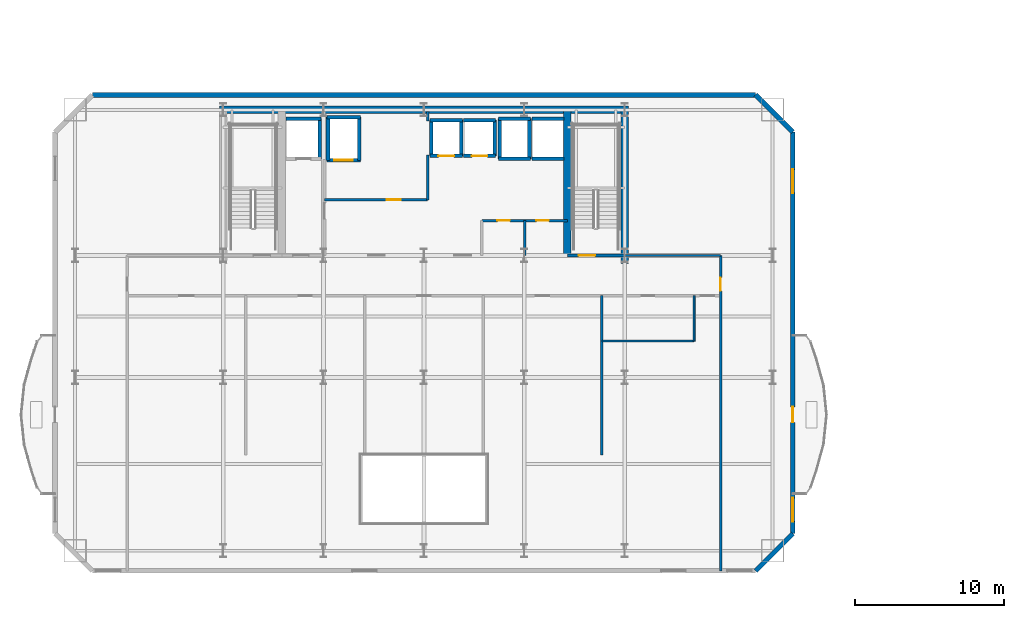
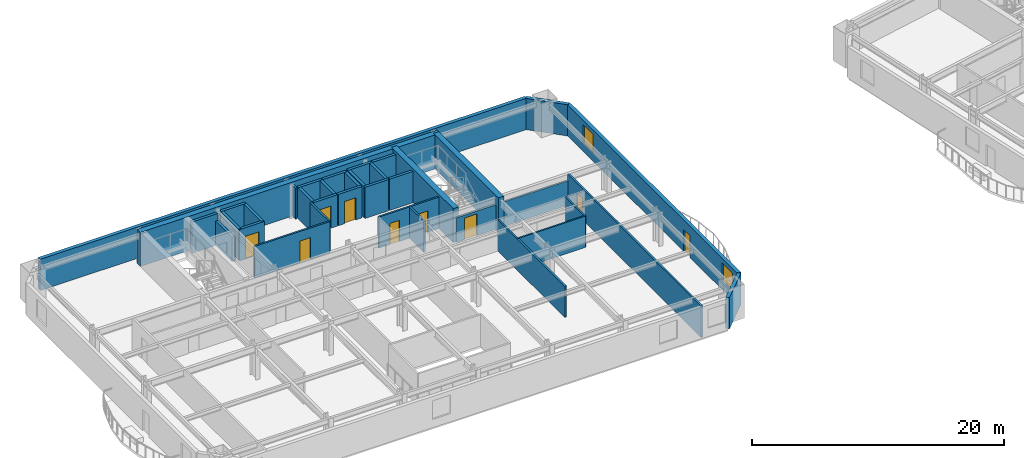
# One storey, part 6 of 14: 37 walls, 9 doors, 2 windows, 11 openings.
"""IFC4 building model written with IfcOpenShell, lengths in metres."""

from ifc_helpers import new_model, si_unit, direction, frame, frame_2d, origin, place, context, subcontext, project, spatial, rectangle, extrude, material, layer, layer_set, type_object, element, fill, save


model = new_model("IFC4")

# Units and contexts
model_context = context("Model", 3, precision=1e-05, world=origin(), true_north=direction((0.0, 1.0)))
body_context = subcontext(model_context, "Body", "Model", "MODEL_VIEW")
ifc_project = project(units=[si_unit("LENGTHUNIT", "METRE"), si_unit("AREAUNIT", "SQUARE_METRE"), si_unit("VOLUMEUNIT", "CUBIC_METRE"), si_unit("PLANEANGLEUNIT", "RADIAN"), si_unit("MASSUNIT", "GRAM", prefix="KILO")], contexts=[model_context])

# Site, building, storey
site_placement = place(None, origin())
site = spatial("IfcSite", under=ifc_project, at=site_placement, CompositionType="ELEMENT")
building_placement = place(site_placement, origin())
building = spatial("IfcBuilding", under=site, at=building_placement, Name="Haevon Station Towers", CompositionType="ELEMENT")
storey_placement = place(building_placement, frame((0.0, 0.0, 86.699951171875)))
storey = spatial("IfcBuildingStorey", under=building, at=storey_placement, Name="L22", CompositionType="ELEMENT", Elevation=86.699951171875)

# Wall, opening, door
ifc_material_1 = material(Name="Gypsum board on steel stud", Category="steel")
ifc_layer_1 = layer(ifc_material_1, 0.199951171875)
ifc_layer_set_1 = layer_set([ifc_layer_1], Name="Gypsum board on steel stud")
wall_type_1 = type_object("IfcWallType", Name="WL-COR200", PredefinedType="PARTITIONING", material=ifc_layer_set_1)
wall_1_placement = place(storey_placement, frame((47.14990234375, 38.199951171875, 0.0), z_axis=(0.0, 0.0, 1.0), x_axis=(1.0, 0.0, 0.0)))
wall_1 = element("IfcWall", 1, at=wall_1_placement, inside=storey, type_object=wall_type_1, Name="WL-ST-ST2-L22", PredefinedType="PARTITIONING", context=body_context, shape_type="SweptSolid", body=[
    extrude(rectangle(XDim=3.85009765625, YDim=0.199951171875, at=frame_2d((1.925048828125, 0.0))), origin(), (0.0, 0.0, 1.0), 2.380126953125),
])
opening_1_placement = place(wall_1_placement, frame((0.75, 0.0, 0.0)))
opening_1 = element("IfcOpeningElement", 2, at=opening_1_placement, cuts=wall_1, Name="Opening DR-ST-ST2-L22", PredefinedType="OPENING", context=body_context, shape_type="SweptSolid", body=[
    extrude(rectangle(XDim=1.1201171875, YDim=2.10009765625, at=frame_2d((0.56005859375, 1.050048828125))), frame((0.0, 0.10986328125, 0.0), z_axis=(0.0, -1.0, 0.0), x_axis=(1.0, 0.0, 0.0)), (0.0, 0.0, 1.0), 0.219970703125),
])
ifc_material_2 = material(Name="Engineered oak timber", Category="wood")
door_type_1 = type_object("IfcDoorType", Name="DR-ST-1120", OperationType="NOTDEFINED", PredefinedType="DOOR", material=ifc_material_2)
door_1_placement = place(opening_1_placement, origin())
door_1 = element("IfcDoor", 3, at=door_1_placement, inside=storey, type_object=door_type_1, Name="L22 Escape Stair ST2 Fire Door", OperationType="SINGLE_SWING_LEFT", OverallHeight=2.10009765625, OverallWidth=1.1201171875, PredefinedType="DOOR", context=body_context, shape_type="SweptSolid", body=[
    extrude(rectangle(XDim=1.1201171875, YDim=2.10009765625, at=frame_2d((0.56005859375, 1.050048828125))), frame((0.0, 0.02490234375, 0.0), z_axis=(0.0, -1.0, 0.0), x_axis=(1.0, 0.0, 0.0)), (0.0, 0.0, 1.0), 0.050048828125),
])
fill(opening_1, door_1)

# Walls
ifc_material_3 = material(Name="Concrete C60/75", Category="concrete")
ifc_layer_2 = layer(ifc_material_3, 0.5)
ifc_layer_set_2 = layer_set([ifc_layer_2], Name="Concrete C60/75")
wall_type_2 = type_object("IfcWallType", Name="WL-CR500", PredefinedType="SHEAR", material=ifc_layer_set_2)
wall_2_placement = place(storey_placement, frame((23.75, 48.0, 0.0), z_axis=(0.0, 0.0, 1.0), x_axis=(1.0, 0.0, 0.0)))
element("IfcWall", 4, at=wall_2_placement, inside=storey, type_object=wall_type_2, Name="WL-T1CR-L22-N", PredefinedType="SHEAR", context=body_context, shape_type="SweptSolid", body=[
    extrude(rectangle(XDim=27.5, YDim=0.5, at=frame_2d((13.75, 0.0))), origin(), (0.0, 0.0, 1.0), 3.300048828125),
])
wall_3_placement = place(storey_placement, frame((51.0, 37.679931640625, 0.0), z_axis=(0.0, 0.0, 1.0), x_axis=(0.0, 1.0, 0.0)))
element("IfcWall", 5, at=wall_3_placement, inside=storey, type_object=wall_type_2, Name="WL-T1CR-L22-E", PredefinedType="SHEAR", context=body_context, shape_type="SweptSolid", body=[
    extrude(rectangle(XDim=10.320068359375, YDim=0.5, at=frame_2d((5.16015625, 0.0))), origin(), (0.0, 0.0, 1.0), 3.300048828125),
])
wall_4_placement = place(storey_placement, frame((47.14990234375, 38.199951171875, 0.0), z_axis=(0.0, 0.0, 1.0), x_axis=(0.0, 1.0, 0.0)))
element("IfcWall", 6, at=wall_4_placement, inside=storey, type_object=wall_type_2, Name="WL-T1CR-L22-M2", PredefinedType="SHEAR", context=body_context, shape_type="SweptSolid", body=[
    extrude(rectangle(XDim=9.800048828125, YDim=0.5, at=frame_2d((4.89990234375, 0.0))), origin(), (0.0, 0.0, 1.0), 3.300048828125),
])
ifc_material_4 = material(Name="Precast concrete C45/55", Category="concrete")
ifc_layer_3 = layer(ifc_material_4, 0.320068359375)
ifc_layer_set_3 = layer_set([ifc_layer_3], Name="Precast concrete C45/55")
wall_type_3 = type_object("IfcWallType", Name="WL-EXT-PIER320", PredefinedType="SOLIDWALL", material=ifc_layer_set_3)
wall_5_placement = place(storey_placement, frame((15.199951171875, 49.0, 0.0), z_axis=(0.0, 0.0, 1.0), x_axis=(1.0, 0.0, 0.0)))
element("IfcWall", 7, at=wall_5_placement, inside=storey, type_object=wall_type_3, Name="WL-T1-L22-N", PredefinedType="SOLIDWALL", context=body_context, shape_type="SweptSolid", body=[
    extrude(rectangle(XDim=44.60009765625, YDim=0.320068359375, at=frame_2d((22.300048828125, 0.0))), origin(), (0.0, 0.0, 1.0), 3.030029296875),
])
wall_6_placement = place(storey_placement, frame((59.800048828125, 49.0, 0.0), z_axis=(0.0, 0.0, 1.0), x_axis=(0.707106781187, -0.707106781187, 0.0)))
element("IfcWall", 8, at=wall_6_placement, inside=storey, type_object=wall_type_3, Name="WL-T1-L22-NEC", PredefinedType="SOLIDWALL", context=body_context, shape_type="SweptSolid", body=[
    extrude(rectangle(XDim=3.53564453125, YDim=0.320068359375, at=frame_2d((1.767822265625, 0.0))), origin(), (0.0, 0.0, 1.0), 3.030029296875),
])

# Wall, openings, door, windows
wall_7_placement = place(storey_placement, frame((62.300048828125, 46.5, 0.0), z_axis=(0.0, 0.0, 1.0), x_axis=(0.0, -1.0, 0.0)))
wall_7 = element("IfcWall", 9, at=wall_7_placement, inside=storey, type_object=wall_type_3, Name="WL-T1-L22-E", PredefinedType="SOLIDWALL", context=body_context, shape_type="SweptSolid", body=[
    extrude(rectangle(XDim=27.0, YDim=0.320068359375, at=frame_2d((13.5, 0.0))), origin(), (0.0, 0.0, 1.0), 3.030029296875),
])
opening_2_placement = place(wall_7_placement, frame((18.47509765625, 0.0, 0.0)))
opening_2 = element("IfcOpeningElement", 10, at=opening_2_placement, cuts=wall_7, Name="Opening DR-T1-SCAL-L22-E", PredefinedType="OPENING", context=body_context, shape_type="SweptSolid", body=[
    extrude(rectangle(XDim=1.050048828125, YDim=2.10009765625, at=frame_2d((0.52490234375, 1.050048828125))), frame((0.0, 0.169921875, 0.0), z_axis=(0.0, -1.0, 0.0), x_axis=(1.0, 0.0, 0.0)), (0.0, 0.0, 1.0), 0.340087890625),
])
opening_3_placement = place(wall_7_placement, frame((2.5, 0.0, 0.800048828125)))
opening_3 = element("IfcOpeningElement", 11, at=opening_3_placement, cuts=wall_7, Name="Opening WN-END160", PredefinedType="OPENING", context=body_context, shape_type="SweptSolid", body=[
    extrude(rectangle(XDim=1.60009765625, YDim=1.800048828125, at=frame_2d((0.800048828125, 0.89990234375))), frame((0.0, 0.169921875, 0.0), z_axis=(0.0, -1.0, 0.0), x_axis=(1.0, 0.0, 0.0)), (0.0, 0.0, 1.0), 0.340087890625),
])
opening_4_placement = place(wall_7_placement, frame((24.60009765625, 0.0, 0.800048828125)))
opening_4 = element("IfcOpeningElement", 12, at=opening_4_placement, cuts=wall_7, Name="Opening WN-END160", PredefinedType="OPENING", context=body_context, shape_type="SweptSolid", body=[
    extrude(rectangle(XDim=1.60009765625, YDim=1.800048828125, at=frame_2d((0.800048828125, 0.89990234375))), frame((0.0, 0.169921875, 0.0), z_axis=(0.0, -1.0, 0.0), x_axis=(1.0, 0.0, 0.0)), (0.0, 0.0, 1.0), 0.340087890625),
])
ifc_material_5 = material(Name="Thermally broken anodised aluminium and laminated safety glass", Category="aluminium")
door_type_2 = type_object("IfcDoorType", Name="DR-BALC-1050", OperationType="NOTDEFINED", PredefinedType="DOOR", material=ifc_material_5)
door_2_placement = place(opening_2_placement, origin())
door_2 = element("IfcDoor", 13, at=door_2_placement, inside=storey, type_object=door_type_2, Name="Tower 1 L22 East Scalloped Balcony Door", OperationType="SINGLE_SWING_LEFT", OverallHeight=2.10009765625, OverallWidth=1.050048828125, PredefinedType="DOOR", context=body_context, shape_type="SweptSolid", body=[
    extrude(rectangle(XDim=1.050048828125, YDim=2.10009765625, at=frame_2d((0.52490234375, 1.050048828125))), frame((0.0, 0.02490234375, 0.0), z_axis=(0.0, -1.0, 0.0), x_axis=(1.0, 0.0, 0.0)), (0.0, 0.0, 1.0), 0.050048828125),
])
fill(opening_2, door_2)
ifc_material_6 = material(Name="Low-E triple glazing in thermally broken aluminium", Category="aluminium")
window_type = type_object("IfcWindowType", Name="WN-END160", PartitioningType="SINGLE_PANEL", PredefinedType="WINDOW", material=ifc_material_6)
window_1_placement = place(opening_3_placement, origin())
window_1 = element("IfcWindow", 14, at=window_1_placement, inside=storey, type_object=window_type, Name="WN-T1-L22-E01", OverallHeight=1.800048828125, OverallWidth=1.60009765625, PartitioningType="SINGLE_PANEL", PredefinedType="WINDOW", context=body_context, shape_type="SweptSolid", body=[
    extrude(rectangle(XDim=1.60009765625, YDim=1.800048828125, at=frame_2d((0.800048828125, 0.89990234375))), frame((0.0, 0.030029296875, 0.0), z_axis=(0.0, -1.0, 0.0), x_axis=(1.0, 0.0, 0.0)), (0.0, 0.0, 1.0), 0.06005859375),
])
fill(opening_3, window_1)
window_2_placement = place(opening_4_placement, origin())
window_2 = element("IfcWindow", 15, at=window_2_placement, inside=storey, type_object=window_type, Name="WN-T1-L22-E02", OverallHeight=1.800048828125, OverallWidth=1.60009765625, PartitioningType="SINGLE_PANEL", PredefinedType="WINDOW", context=body_context, shape_type="SweptSolid", body=[
    extrude(rectangle(XDim=1.60009765625, YDim=1.800048828125, at=frame_2d((0.800048828125, 0.89990234375))), frame((0.0, 0.030029296875, 0.0), z_axis=(0.0, -1.0, 0.0), x_axis=(1.0, 0.0, 0.0)), (0.0, 0.0, 1.0), 0.06005859375),
])
fill(opening_4, window_2)

# Walls
wall_8_placement = place(storey_placement, frame((62.300048828125, 19.5, 0.0), z_axis=(0.0, 0.0, 1.0), x_axis=(-0.707106781187, -0.707106781187, 0.0)))
element("IfcWall", 16, at=wall_8_placement, inside=storey, type_object=wall_type_3, Name="WL-T1-L22-SEC", PredefinedType="SOLIDWALL", context=body_context, shape_type="SweptSolid", body=[
    extrude(rectangle(XDim=3.53564453125, YDim=0.320068359375, at=frame_2d((1.767822265625, 0.0))), origin(), (0.0, 0.0, 1.0), 3.030029296875),
])
ifc_layer_4 = layer(ifc_material_1, 0.125)
ifc_layer_set_4 = layer_set([ifc_layer_4], Name="Gypsum board on steel stud")
wall_type_4 = type_object("IfcWallType", Name="WL-PRT125", PredefinedType="PARTITIONING", material=ifc_layer_set_4)
wall_9_placement = place(storey_placement, frame((55.669921875, 32.449951171875, 0.0), z_axis=(0.0, 0.0, 1.0), x_axis=(0.0, 1.0, 0.0)))
element("IfcWall", 17, at=wall_9_placement, inside=storey, type_object=wall_type_4, Name="WL-T1PT-L22-17", PredefinedType="PARTITIONING", context=body_context, shape_type="SweptSolid", body=[
    extrude(rectangle(XDim=3.050048828125, YDim=0.125, at=frame_2d((1.52490234375, 0.0))), origin(), (0.0, 0.0, 1.0), 3.030029296875),
])
ifc_layer_5 = layer(ifc_material_1, 0.139892578125)
ifc_layer_set_5 = layer_set([ifc_layer_5], Name="Gypsum board on steel stud")
wall_type_5 = type_object("IfcWallType", Name="WL-PRT140", PredefinedType="PARTITIONING", material=ifc_layer_set_5)
wall_10_placement = place(storey_placement, frame((49.469970703125, 32.449951171875, 0.0), z_axis=(0.0, 0.0, 1.0), x_axis=(1.0, 0.0, 0.0)))
element("IfcWall", 18, at=wall_10_placement, inside=storey, type_object=wall_type_5, Name="WL-T1PT-L22-16", PredefinedType="PARTITIONING", context=body_context, shape_type="SweptSolid", body=[
    extrude(rectangle(XDim=6.199951171875, YDim=0.139892578125, at=frame_2d((3.10009765625, 0.0))), origin(), (0.0, 0.0, 1.0), 3.030029296875),
])

# Wall, opening, door
ifc_layer_6 = layer(ifc_material_1, 0.159912109375)
ifc_layer_set_6 = layer_set([ifc_layer_6], Name="Gypsum board on steel stud")
wall_type_6 = type_object("IfcWallType", Name="WL-PRT160", PredefinedType="PARTITIONING", material=ifc_layer_set_6)
wall_11_placement = place(storey_placement, frame((30.800048828125, 41.949951171875, 0.0), z_axis=(0.0, 0.0, 1.0), x_axis=(1.0, 0.0, 0.0)))
wall_11 = element("IfcWall", 19, at=wall_11_placement, inside=storey, type_object=wall_type_6, Name="WL-T1CW-L22-01", PredefinedType="PARTITIONING", context=body_context, shape_type="SweptSolid", body=[
    extrude(rectangle(XDim=6.949951171875, YDim=0.159912109375, at=frame_2d((3.47509765625, 0.0))), origin(), (0.0, 0.0, 1.0), 3.030029296875),
])
opening_5_placement = place(wall_11_placement, frame((4.199951171875, 0.0, 0.0)))
opening_5 = element("IfcOpeningElement", 20, at=opening_5_placement, cuts=wall_11, Name="Opening DR-WL-T1CW-L22-01-1", PredefinedType="OPENING", context=body_context, shape_type="SweptSolid", body=[
    extrude(rectangle(XDim=0.949951171875, YDim=2.10009765625, at=frame_2d((0.47509765625, 1.050048828125))), frame((0.0, 0.08984375, 0.0), z_axis=(0.0, -1.0, 0.0), x_axis=(1.0, 0.0, 0.0)), (0.0, 0.0, 1.0), 0.179931640625),
])
door_type_3 = type_object("IfcDoorType", Name="DR-FD60-950", OperationType="NOTDEFINED", PredefinedType="DOOR", material=ifc_material_2)
door_3_placement = place(opening_5_placement, origin())
door_3 = element("IfcDoor", 21, at=door_3_placement, inside=storey, type_object=door_type_3, Name="L22 Tower 1 Core Room Door 1-1", OperationType="SINGLE_SWING_RIGHT", OverallHeight=2.10009765625, OverallWidth=0.949951171875, PredefinedType="DOOR", context=body_context, shape_type="SweptSolid", body=[
    extrude(rectangle(XDim=0.949951171875, YDim=2.10009765625, at=frame_2d((0.47509765625, 1.050048828125))), frame((0.0, 0.02490234375, 0.0), z_axis=(0.0, -1.0, 0.0), x_axis=(1.0, 0.0, 0.0)), (0.0, 0.0, 1.0), 0.050048828125),
])
fill(opening_5, door_3)

# Walls
wall_12_placement = place(storey_placement, frame((37.75, 41.949951171875, 0.0), z_axis=(0.0, 0.0, 1.0), x_axis=(0.0, 1.0, 0.0)))
element("IfcWall", 22, at=wall_12_placement, inside=storey, type_object=wall_type_6, Name="WL-T1CW-L22-02", PredefinedType="PARTITIONING", context=body_context, shape_type="SweptSolid", body=[
    extrude(rectangle(XDim=3.0, YDim=0.159912109375, at=frame_2d((1.5, 0.0))), origin(), (0.0, 0.0, 1.0), 3.030029296875),
])
wall_13_placement = place(storey_placement, frame((37.75, 47.25, 0.0), z_axis=(0.0, 0.0, 1.0), x_axis=(0.0, 1.0, 0.0)))
element("IfcWall", 23, at=wall_13_placement, inside=storey, type_object=wall_type_6, Name="WL-T1CW-L22-03", PredefinedType="PARTITIONING", context=body_context, shape_type="SweptSolid", body=[
    extrude(rectangle(XDim=0.64990234375, YDim=0.159912109375, at=frame_2d((0.324951171875, 0.0))), origin(), (0.0, 0.0, 1.0), 3.030029296875),
])
wall_14_placement = place(storey_placement, frame((44.280029296875, 38.199951171875, 0.0), z_axis=(0.0, 0.0, 1.0), x_axis=(0.0, 1.0, 0.0)))
element("IfcWall", 24, at=wall_14_placement, inside=storey, type_object=wall_type_6, Name="WL-T1CW-L22-05", PredefinedType="PARTITIONING", context=body_context, shape_type="SweptSolid", body=[
    extrude(rectangle(XDim=2.35009765625, YDim=0.159912109375, at=frame_2d((1.175048828125, 0.0))), origin(), (0.0, 0.0, 1.0), 3.030029296875),
])

# Wall, openings, doors
wall_15_placement = place(storey_placement, frame((41.39990234375, 40.550048828125, 0.0), z_axis=(0.0, 0.0, 1.0), x_axis=(1.0, 0.0, 0.0)))
wall_15 = element("IfcWall", 25, at=wall_15_placement, inside=storey, type_object=wall_type_6, Name="WL-T1CW-L22-06", PredefinedType="PARTITIONING", context=body_context, shape_type="SweptSolid", body=[
    extrude(rectangle(XDim=5.75, YDim=0.159912109375, at=frame_2d((2.875, 0.0))), origin(), (0.0, 0.0, 1.0), 3.030029296875),
])
opening_6_placement = place(wall_15_placement, frame((1.034912109375, 0.0, 0.0)))
opening_6 = element("IfcOpeningElement", 26, at=opening_6_placement, cuts=wall_15, Name="Opening DR-WL-T1CW-L22-06-1", PredefinedType="OPENING", context=body_context, shape_type="SweptSolid", body=[
    extrude(rectangle(XDim=0.85009765625, YDim=2.050048828125, at=frame_2d((0.425048828125, 1.02490234375))), frame((0.0, 0.08984375, 0.0), z_axis=(0.0, -1.0, 0.0), x_axis=(1.0, 0.0, 0.0)), (0.0, 0.0, 1.0), 0.179931640625),
])
opening_7_placement = place(wall_15_placement, frame((3.655029296875, 0.0, 0.0)))
opening_7 = element("IfcOpeningElement", 27, at=opening_7_placement, cuts=wall_15, Name="Opening DR-WL-T1CW-L22-06-2", PredefinedType="OPENING", context=body_context, shape_type="SweptSolid", body=[
    extrude(rectangle(XDim=0.85009765625, YDim=2.050048828125, at=frame_2d((0.425048828125, 1.02490234375))), frame((0.0, 0.08984375, 0.0), z_axis=(0.0, -1.0, 0.0), x_axis=(1.0, 0.0, 0.0)), (0.0, 0.0, 1.0), 0.179931640625),
])
door_type_4 = type_object("IfcDoorType", Name="DR-FD30-850", OperationType="NOTDEFINED", PredefinedType="DOOR", material=ifc_material_2)
door_4_placement = place(opening_6_placement, origin())
door_4 = element("IfcDoor", 28, at=door_4_placement, inside=storey, type_object=door_type_4, Name="L22 Tower 1 Core Room Door 6-1", OperationType="SINGLE_SWING_LEFT", OverallHeight=2.050048828125, OverallWidth=0.85009765625, PredefinedType="DOOR", context=body_context, shape_type="SweptSolid", body=[
    extrude(rectangle(XDim=0.85009765625, YDim=2.050048828125, at=frame_2d((0.425048828125, 1.02490234375))), frame((0.0, 0.02490234375, 0.0), z_axis=(0.0, -1.0, 0.0), x_axis=(1.0, 0.0, 0.0)), (0.0, 0.0, 1.0), 0.050048828125),
])
fill(opening_6, door_4)
door_5_placement = place(opening_7_placement, origin())
door_5 = element("IfcDoor", 29, at=door_5_placement, inside=storey, type_object=door_type_4, Name="L22 Tower 1 Core Room Door 6-2", OperationType="SINGLE_SWING_RIGHT", OverallHeight=2.050048828125, OverallWidth=0.85009765625, PredefinedType="DOOR", context=body_context, shape_type="SweptSolid", body=[
    extrude(rectangle(XDim=0.85009765625, YDim=2.050048828125, at=frame_2d((0.425048828125, 1.02490234375))), frame((0.0, 0.02490234375, 0.0), z_axis=(0.0, -1.0, 0.0), x_axis=(1.0, 0.0, 0.0)), (0.0, 0.0, 1.0), 0.050048828125),
])
fill(opening_7, door_5)

# Wall
wall_16_placement = place(storey_placement, frame((51.0, 38.199951171875, 0.0), z_axis=(0.0, 0.0, 1.0), x_axis=(1.0, 0.0, 0.0)))
element("IfcWall", 30, at=wall_16_placement, inside=storey, type_object=wall_type_6, Name="WL-T1PT-L22-02", PredefinedType="PARTITIONING", context=body_context, shape_type="SweptSolid", body=[
    extrude(rectangle(XDim=6.449951171875, YDim=0.159912109375, at=frame_2d((3.22509765625, 0.0))), origin(), (0.0, 0.0, 1.0), 2.380126953125),
])

# Wall, opening, door
wall_17_placement = place(storey_placement, frame((57.449951171875, 17.0, 0.0), z_axis=(0.0, 0.0, 1.0), x_axis=(0.0, 1.0, 0.0)))
wall_17 = element("IfcWall", 31, at=wall_17_placement, inside=storey, type_object=wall_type_6, Name="WL-T1PT-L22-04", PredefinedType="PARTITIONING", context=body_context, shape_type="SweptSolid", body=[
    extrude(rectangle(XDim=21.199951171875, YDim=0.159912109375, at=frame_2d((10.60009765625, 0.0))), origin(), (0.0, 0.0, 1.0), 3.030029296875),
])
opening_8_placement = place(wall_17_placement, frame((18.820068359375, 0.0, 0.0)))
opening_8 = element("IfcOpeningElement", 32, at=opening_8_placement, cuts=wall_17, Name="Opening DR-WL-T1PT-L22-04-01", PredefinedType="OPENING", context=body_context, shape_type="SweptSolid", body=[
    extrude(rectangle(XDim=0.89990234375, YDim=2.050048828125, at=frame_2d((0.449951171875, 1.02490234375))), frame((0.0, 0.08984375, 0.0), z_axis=(0.0, -1.0, 0.0), x_axis=(1.0, 0.0, 0.0)), (0.0, 0.0, 1.0), 0.179931640625),
])
door_type_5 = type_object("IfcDoorType", Name="DR-INT-900", OperationType="NOTDEFINED", PredefinedType="DOOR", material=ifc_material_2)
door_6_placement = place(opening_8_placement, origin())
door_6 = element("IfcDoor", 33, at=door_6_placement, inside=storey, type_object=door_type_5, Name="L22 Tower 1 Room Door 4-1", OperationType="SINGLE_SWING_RIGHT", OverallHeight=2.050048828125, OverallWidth=0.89990234375, PredefinedType="DOOR", context=body_context, shape_type="SweptSolid", body=[
    extrude(rectangle(XDim=0.89990234375, YDim=2.050048828125, at=frame_2d((0.449951171875, 1.02490234375))), frame((0.0, 0.02490234375, 0.0), z_axis=(0.0, -1.0, 0.0), x_axis=(1.0, 0.0, 0.0)), (0.0, 0.0, 1.0), 0.050048828125),
])
fill(opening_8, door_6)

# Walls
wall_18_placement = place(storey_placement, frame((49.469970703125, 24.800048828125, 0.0), z_axis=(0.0, 0.0, 1.0), x_axis=(0.0, 1.0, 0.0)))
element("IfcWall", 34, at=wall_18_placement, inside=storey, type_object=wall_type_6, Name="WL-T1PT-L22-14", PredefinedType="PARTITIONING", context=body_context, shape_type="SweptSolid", body=[
    extrude(rectangle(XDim=10.699951171875, YDim=0.159912109375, at=frame_2d((5.35009765625, 0.0))), origin(), (0.0, 0.0, 1.0), 3.030029296875),
])
ifc_material_7 = material(Name="Concrete C40/50", Category="concrete")
ifc_layer_7 = layer(ifc_material_7, 0.239990234375)
ifc_layer_set_7 = layer_set([ifc_layer_7], Name="Concrete C40/50")
wall_type_7 = type_object("IfcWallType", Name="WL-SHF240", PredefinedType="PARTITIONING", material=ifc_layer_set_7)
wall_19_placement = place(storey_placement, frame((28.219970703125, 47.39990234375, 0.0), z_axis=(0.0, 0.0, 1.0), x_axis=(1.0, 0.0, 0.0)))
element("IfcWall", 35, at=wall_19_placement, inside=storey, type_object=wall_type_7, Name="WL-SHF-FL1-L22-N", PredefinedType="PARTITIONING", context=body_context, shape_type="SweptSolid", body=[
    extrude(rectangle(XDim=2.360107421875, YDim=0.239990234375, at=frame_2d((1.18017578125, 0.0))), origin(), (0.0, 0.0, 1.0), 3.030029296875),
])
wall_20_placement = place(storey_placement, frame((30.5, 44.699951171875, 0.0), z_axis=(0.0, 0.0, 1.0), x_axis=(0.0, 1.0, 0.0)))
element("IfcWall", 36, at=wall_20_placement, inside=storey, type_object=wall_type_7, Name="WL-SHF-FL1-L22-E", PredefinedType="PARTITIONING", context=body_context, shape_type="SweptSolid", body=[
    extrude(rectangle(XDim=2.699951171875, YDim=0.239990234375, at=frame_2d((1.35009765625, 0.0))), origin(), (0.0, 0.0, 1.0), 2.380126953125),
])

# Wall, opening, door
wall_21_placement = place(storey_placement, frame((30.969970703125, 44.60009765625, 0.0), z_axis=(0.0, 0.0, 1.0), x_axis=(1.0, 0.0, 0.0)))
wall_21 = element("IfcWall", 37, at=wall_21_placement, inside=storey, type_object=wall_type_7, Name="WL-SHF-SL1-L22", PredefinedType="PARTITIONING", context=body_context, shape_type="SweptSolid", body=[
    extrude(rectangle(XDim=2.260009765625, YDim=0.239990234375, at=frame_2d((1.1298828125, 0.0))), origin(), (0.0, 0.0, 1.0), 3.030029296875),
])
opening_9_placement = place(wall_21_placement, frame((0.5048828125, 0.0, 0.0)))
opening_9 = element("IfcOpeningElement", 38, at=opening_9_placement, cuts=wall_21, Name="Opening LD-SL1-L22", PredefinedType="OPENING", context=body_context, shape_type="SweptSolid", body=[
    extrude(rectangle(XDim=1.25, YDim=2.199951171875, at=frame_2d((0.625, 1.10009765625))), frame((0.0, 0.1298828125, 0.0), z_axis=(0.0, -1.0, 0.0), x_axis=(1.0, 0.0, 0.0)), (0.0, 0.0, 1.0), 0.260009765625),
])
ifc_material_8 = material(Name="Stainless steel and rated core", Category="steel")
door_type_6 = type_object("IfcDoorType", Name="LD-SL1250", OperationType="SLIDING_TO_LEFT", PredefinedType="DOOR", material=ifc_material_8)
door_7_placement = place(opening_9_placement, origin())
door_7 = element("IfcDoor", 39, at=door_7_placement, inside=storey, type_object=door_type_6, Name="L22 Lift SL1 Sliding Landing Door", OperationType="SLIDING_TO_LEFT", OverallHeight=2.199951171875, OverallWidth=1.25, PredefinedType="DOOR", context=body_context, shape_type="SweptSolid", body=[
    extrude(rectangle(XDim=1.25, YDim=2.199951171875, at=frame_2d((0.625, 1.10009765625))), frame((0.0, 0.02490234375, 0.0), z_axis=(0.0, -1.0, 0.0), x_axis=(1.0, 0.0, 0.0)), (0.0, 0.0, 1.0), 0.050048828125),
])
fill(opening_9, door_7)

# Walls
wall_22_placement = place(storey_placement, frame((30.969970703125, 47.5, 0.0), z_axis=(0.0, 0.0, 1.0), x_axis=(1.0, 0.0, 0.0)))
element("IfcWall", 40, at=wall_22_placement, inside=storey, type_object=wall_type_7, Name="WL-SHF-SL1-L22-N", PredefinedType="PARTITIONING", context=body_context, shape_type="SweptSolid", body=[
    extrude(rectangle(XDim=2.260009765625, YDim=0.239990234375, at=frame_2d((1.1298828125, 0.0))), origin(), (0.0, 0.0, 1.0), 3.030029296875),
])
for number, where, z_axis, x_axis, name in (
    (41, (31.050048828125, 44.60009765625, 0.0), (0.0, 0.0, 1.0), (0.0, 1.0, 0.0), "WL-SHF-SL1-L22-W"),
    (42, (33.14990234375, 44.60009765625, 0.0), (0.0, 0.0, 1.0), (0.0, 1.0, 0.0), "WL-SHF-SL1-L22-E"),
):
    element("IfcWall", number, at=place(storey_placement, frame(where, z_axis=z_axis, x_axis=x_axis)), inside=storey, type_object=wall_type_7, Name=name, PredefinedType="PARTITIONING", context=body_context, shape_type="SweptSolid", body=[
        extrude(rectangle(XDim=2.89990234375, YDim=0.239990234375, at=frame_2d((1.449951171875, 0.0))), origin(), (0.0, 0.0, 1.0), 3.030029296875),
    ])

# Wall, opening, door
wall_23_placement = place(storey_placement, frame((37.919921875, 44.89990234375, 0.0), z_axis=(0.0, 0.0, 1.0), x_axis=(1.0, 0.0, 0.0)))
wall_23 = element("IfcWall", 43, at=wall_23_placement, inside=storey, type_object=wall_type_7, Name="WL-SHF-PL3-L22", PredefinedType="PARTITIONING", context=body_context, shape_type="SweptSolid", body=[
    extrude(rectangle(XDim=2.16015625, YDim=0.239990234375, at=frame_2d((1.080078125, 0.0))), origin(), (0.0, 0.0, 1.0), 3.030029296875),
])
opening_10_placement = place(wall_23_placement, frame((0.554931640625, 0.0, 0.0)))
opening_10 = element("IfcOpeningElement", 44, at=opening_10_placement, cuts=wall_23, Name="Opening LD-PL3-L22", PredefinedType="OPENING", context=body_context, shape_type="SweptSolid", body=[
    extrude(rectangle(XDim=1.050048828125, YDim=2.14990234375, at=frame_2d((0.52490234375, 1.074951171875))), frame((0.0, 0.1298828125, 0.0), z_axis=(0.0, -1.0, 0.0), x_axis=(1.0, 0.0, 0.0)), (0.0, 0.0, 1.0), 0.260009765625),
])
door_type_7 = type_object("IfcDoorType", Name="LD-PL1050", OperationType="SLIDING_TO_LEFT", PredefinedType="DOOR", material=ifc_material_8)
door_8_placement = place(opening_10_placement, origin())
door_8 = element("IfcDoor", 45, at=door_8_placement, inside=storey, type_object=door_type_7, Name="L22 Lift PL3 Sliding Landing Door", OperationType="SLIDING_TO_LEFT", OverallHeight=2.14990234375, OverallWidth=1.050048828125, PredefinedType="DOOR", context=body_context, shape_type="SweptSolid", body=[
    extrude(rectangle(XDim=1.050048828125, YDim=2.14990234375, at=frame_2d((0.52490234375, 1.074951171875))), frame((0.0, 0.02490234375, 0.0), z_axis=(0.0, -1.0, 0.0), x_axis=(1.0, 0.0, 0.0)), (0.0, 0.0, 1.0), 0.050048828125),
])
fill(opening_10, door_8)

# Walls
wall_24_placement = place(storey_placement, frame((37.919921875, 47.300048828125, 0.0), z_axis=(0.0, 0.0, 1.0), x_axis=(1.0, 0.0, 0.0)))
element("IfcWall", 46, at=wall_24_placement, inside=storey, type_object=wall_type_7, Name="WL-SHF-PL3-L22-N", PredefinedType="PARTITIONING", context=body_context, shape_type="SweptSolid", body=[
    extrude(rectangle(XDim=2.16015625, YDim=0.239990234375, at=frame_2d((1.080078125, 0.0))), origin(), (0.0, 0.0, 1.0), 3.030029296875),
])
for number, where, z_axis, x_axis, name in (
    (47, (38.0, 44.89990234375, 0.0), (0.0, 0.0, 1.0), (0.0, 1.0, 0.0), "WL-SHF-PL3-L22-W"),
    (48, (40.0, 44.89990234375, 0.0), (0.0, 0.0, 1.0), (0.0, 1.0, 0.0), "WL-SHF-PL3-L22-E"),
):
    element("IfcWall", number, at=place(storey_placement, frame(where, z_axis=z_axis, x_axis=x_axis)), inside=storey, type_object=wall_type_7, Name=name, PredefinedType="PARTITIONING", context=body_context, shape_type="SweptSolid", body=[
        extrude(rectangle(XDim=2.400146484375, YDim=0.239990234375, at=frame_2d((1.2001953125, 0.0))), origin(), (0.0, 0.0, 1.0), 3.030029296875),
    ])

# Wall, opening, door
wall_25_placement = place(storey_placement, frame((40.169921875, 44.89990234375, 0.0), z_axis=(0.0, 0.0, 1.0), x_axis=(1.0, 0.0, 0.0)))
wall_25 = element("IfcWall", 49, at=wall_25_placement, inside=storey, type_object=wall_type_7, Name="WL-SHF-PL4-L22", PredefinedType="PARTITIONING", context=body_context, shape_type="SweptSolid", body=[
    extrude(rectangle(XDim=2.16015625, YDim=0.239990234375, at=frame_2d((1.080078125, 0.0))), origin(), (0.0, 0.0, 1.0), 3.030029296875),
])
opening_11_placement = place(wall_25_placement, frame((0.554931640625, 0.0, 0.0)))
opening_11 = element("IfcOpeningElement", 50, at=opening_11_placement, cuts=wall_25, Name="Opening LD-PL4-L22", PredefinedType="OPENING", context=body_context, shape_type="SweptSolid", body=[
    extrude(rectangle(XDim=1.050048828125, YDim=2.14990234375, at=frame_2d((0.52490234375, 1.074951171875))), frame((0.0, 0.1298828125, 0.0), z_axis=(0.0, -1.0, 0.0), x_axis=(1.0, 0.0, 0.0)), (0.0, 0.0, 1.0), 0.260009765625),
])
door_9_placement = place(opening_11_placement, origin())
door_9 = element("IfcDoor", 51, at=door_9_placement, inside=storey, type_object=door_type_7, Name="L22 Lift PL4 Sliding Landing Door", OperationType="SLIDING_TO_LEFT", OverallHeight=2.14990234375, OverallWidth=1.050048828125, PredefinedType="DOOR", context=body_context, shape_type="SweptSolid", body=[
    extrude(rectangle(XDim=1.050048828125, YDim=2.14990234375, at=frame_2d((0.52490234375, 1.074951171875))), frame((0.0, 0.02490234375, 0.0), z_axis=(0.0, -1.0, 0.0), x_axis=(1.0, 0.0, 0.0)), (0.0, 0.0, 1.0), 0.050048828125),
])
fill(opening_11, door_9)

# Walls
wall_26_placement = place(storey_placement, frame((40.169921875, 47.300048828125, 0.0), z_axis=(0.0, 0.0, 1.0), x_axis=(1.0, 0.0, 0.0)))
element("IfcWall", 52, at=wall_26_placement, inside=storey, type_object=wall_type_7, Name="WL-SHF-PL4-L22-N", PredefinedType="PARTITIONING", context=body_context, shape_type="SweptSolid", body=[
    extrude(rectangle(XDim=2.16015625, YDim=0.239990234375, at=frame_2d((1.080078125, 0.0))), origin(), (0.0, 0.0, 1.0), 3.030029296875),
])
wall_27_placement = place(storey_placement, frame((42.25, 44.89990234375, 0.0), z_axis=(0.0, 0.0, 1.0), x_axis=(0.0, 1.0, 0.0)))
element("IfcWall", 53, at=wall_27_placement, inside=storey, type_object=wall_type_7, Name="WL-SHF-PL4-L22-E", PredefinedType="PARTITIONING", context=body_context, shape_type="SweptSolid", body=[
    extrude(rectangle(XDim=2.400146484375, YDim=0.239990234375, at=frame_2d((1.2001953125, 0.0))), origin(), (0.0, 0.0, 1.0), 3.030029296875),
])
for number, where, z_axis, x_axis, name in (
    (54, (42.52001953125, 44.699951171875, 0.0), (0.0, 0.0, 1.0), (1.0, 0.0, 0.0), "WL-SHF-PL5-L22"),
    (55, (42.52001953125, 47.39990234375, 0.0), (0.0, 0.0, 1.0), (1.0, 0.0, 0.0), "WL-SHF-PL5-L22-N"),
):
    element("IfcWall", number, at=place(storey_placement, frame(where, z_axis=z_axis, x_axis=x_axis)), inside=storey, type_object=wall_type_7, Name=name, PredefinedType="PARTITIONING", context=body_context, shape_type="SweptSolid", body=[
        extrude(rectangle(XDim=2.159912109375, YDim=0.239990234375, at=frame_2d((1.080078125, 0.0))), origin(), (0.0, 0.0, 1.0), 3.030029296875),
    ])
for number, where, z_axis, x_axis, name in (
    (56, (42.60009765625, 44.699951171875, 0.0), (0.0, 0.0, 1.0), (0.0, 1.0, 0.0), "WL-SHF-PL5-L22-W"),
    (57, (44.60009765625, 44.699951171875, 0.0), (0.0, 0.0, 1.0), (0.0, 1.0, 0.0), "WL-SHF-PL5-L22-E"),
):
    element("IfcWall", number, at=place(storey_placement, frame(where, z_axis=z_axis, x_axis=x_axis)), inside=storey, type_object=wall_type_7, Name=name, PredefinedType="PARTITIONING", context=body_context, shape_type="SweptSolid", body=[
        extrude(rectangle(XDim=2.699951171875, YDim=0.239990234375, at=frame_2d((1.35009765625, 0.0))), origin(), (0.0, 0.0, 1.0), 3.030029296875),
    ])
for number, where, z_axis, x_axis, name in (
    (58, (44.77001953125, 44.699951171875, 0.0), (0.0, 0.0, 1.0), (1.0, 0.0, 0.0), "WL-SHF-PL6-L22"),
    (59, (44.77001953125, 47.39990234375, 0.0), (0.0, 0.0, 1.0), (1.0, 0.0, 0.0), "WL-SHF-PL6-L22-N"),
):
    element("IfcWall", number, at=place(storey_placement, frame(where, z_axis=z_axis, x_axis=x_axis)), inside=storey, type_object=wall_type_7, Name=name, PredefinedType="PARTITIONING", context=body_context, shape_type="SweptSolid", body=[
        extrude(rectangle(XDim=2.159912109375, YDim=0.239990234375, at=frame_2d((1.080078125, 0.0))), origin(), (0.0, 0.0, 1.0), 3.030029296875),
    ])

save(model, "model.ifc")
